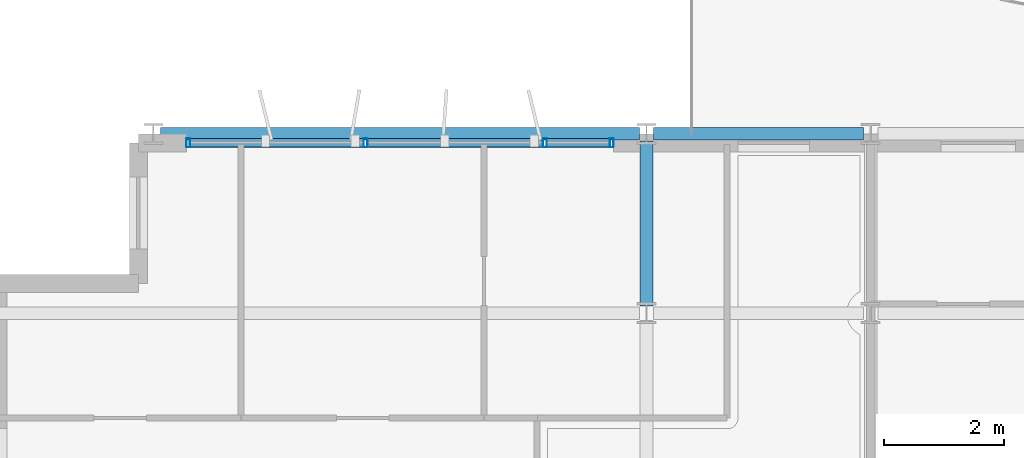
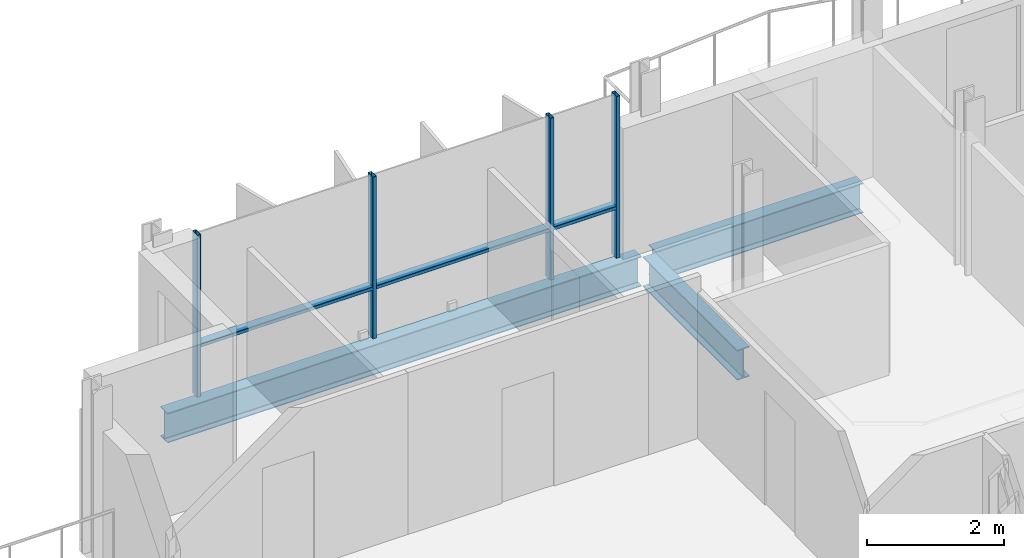
# One storey, part 2 of 13: 7 members, 3 beams, 1 element without a shape of its own.
"""IFC4 building model written with IfcOpenShell, lengths in metres."""

from ifc_helpers import new_model, si_unit, direction, frame, origin, origin_2d, place, context, subcontext, project, spatial, hollow_rectangle, i_section, extrude, material, layer, layer_set, material_profile, profile_set, type_object, element, aggregate, save


model = new_model("IFC4")

# Units and contexts
model_context = context("Model", 3, precision=1e-05, world=origin(), true_north=direction((0.0, 1.0)))
body_context = subcontext(model_context, "Body", "Model", "MODEL_VIEW")
ifc_project = project(units=[si_unit("LENGTHUNIT", "METRE"), si_unit("AREAUNIT", "SQUARE_METRE"), si_unit("VOLUMEUNIT", "CUBIC_METRE"), si_unit("PLANEANGLEUNIT", "RADIAN"), si_unit("MASSUNIT", "GRAM", prefix="KILO")], contexts=[model_context])

# Site, building, storey
site_placement = place(None, origin())
site = spatial("IfcSite", under=ifc_project, at=site_placement, CompositionType="ELEMENT")
building_placement = place(site_placement, origin())
building = spatial("IfcBuilding", under=site, at=building_placement, Name="Brevholm Reach", CompositionType="ELEMENT")
storey_placement = place(building_placement, frame((0.0, 0.0, 224.199951171875)))
storey = spatial("IfcBuildingStorey", under=building, at=storey_placement, Name="L68", CompositionType="ELEMENT", Elevation=224.199951171875)

# Beams
ifc_material_1 = material(Name="Structural Steel S355J2", Category="steel")
ifc_material_profile_1 = material_profile(ifc_material_1, i_section(OverallWidth=0.209228515625, OverallDepth=0.533203125, WebThickness=0.010009765625, FlangeThickness=0.015625, FilletRadius=0.0126953125, at=origin_2d()), Name="UKB 533x210x92")
ifc_profile_set_1 = profile_set([ifc_material_profile_1], Name="Structural Steel S355J2")
beam_type_1 = type_object("IfcBeamType", Name="BM-SP533", PredefinedType="SPANDREL", material=ifc_profile_set_1)
beam_1_placement = place(storey_placement, frame((30.1201171875, 26.5, -0.4765625), z_axis=(1.0, 0.0, 0.0), x_axis=(0.0, 1.0, 0.0)))
element("IfcBeam", 1, at=beam_1_placement, inside=storey, type_object=beam_type_1, Name="L68 SP-02 Framing Beam", PredefinedType="SPANDREL", context=body_context, shape_type="SweptSolid", body=[
    extrude(i_section(OverallWidth=0.209228515625, OverallDepth=0.533203125, WebThickness=0.010009765625, FlangeThickness=0.015625, FilletRadius=0.0126953125, at=origin_2d()), origin(), (0.0, 0.0, 1.0), 8.009765625),
])
beam_2_placement = place(storey_placement, frame((38.3701171875, 26.5, -0.4765625), z_axis=(1.0, 0.0, 0.0), x_axis=(0.0, 1.0, 0.0)))
element("IfcBeam", 2, at=beam_2_placement, inside=storey, type_object=beam_type_1, Name="L68 SP-02 Framing Beam", PredefinedType="SPANDREL", context=body_context, shape_type="SweptSolid", body=[
    extrude(i_section(OverallWidth=0.209228515625, OverallDepth=0.533203125, WebThickness=0.010009765625, FlangeThickness=0.015625, FilletRadius=0.0126953125, at=origin_2d()), origin(), (0.0, 0.0, 1.0), 3.509765625),
])
ifc_material_2 = material(Name="Structural Steel S355J2", Category="steel")
ifc_material_profile_2 = material_profile(ifc_material_2, i_section(OverallWidth=0.210693359375, OverallDepth=0.53955078125, WebThickness=0.01171875, FlangeThickness=0.018798828125, FilletRadius=0.0126953125, at=origin_2d()), Name="UKB 533x210x109")
ifc_profile_set_2 = profile_set([ifc_material_profile_2], Name="Structural Steel S355J2")
beam_type_2 = type_object("IfcBeamType", Name="BM-SP539", PredefinedType="SPANDREL", material=ifc_profile_set_2)
beam_3_placement = place(storey_placement, frame((38.25, 23.6201171875, -0.479736328125), z_axis=(0.0, 1.0, 0.0), x_axis=(-1.0, 0.0, 0.0)))
element("IfcBeam", 3, at=beam_3_placement, inside=storey, type_object=beam_type_2, Name="L68 SP-01B Framing Beam", PredefinedType="SPANDREL", context=body_context, shape_type="SweptSolid", body=[
    extrude(i_section(OverallWidth=0.210693359375, OverallDepth=0.53955078125, WebThickness=0.01171875, FlangeThickness=0.018798828125, FilletRadius=0.0126953125, at=origin_2d()), origin(), (0.0, 0.0, 1.0), 2.759765625),
])

# Curtain wall, members
ifc_material_3 = material(Name="Dark Anodised Aluminium 6063-T6 and Solar-Control Glass", Category="aluminium")
ifc_layer = layer(ifc_material_3, 0.14990234375)
ifc_layer_set = layer_set([ifc_layer], Name="Dark Anodised Aluminium 6063-T6 and Solar-Control Glass")
curtain_wall_type = type_object("IfcCurtainWallType", Name="CW-01", PredefinedType="NOTDEFINED", material=ifc_layer_set)
curtain_wall_placement = place(storey_placement, origin())
curtain_wall = element("IfcCurtainWall", 4, at=curtain_wall_placement, inside=storey, type_object=curtain_wall_type, Name="L68 Curtain Wall CW-01", PredefinedType="NOTDEFINED")
ifc_material_4 = material(Name="Dark Anodised Aluminium 6063-T6", Category="aluminium")
ifc_material_profile_3 = material_profile(ifc_material_4, hollow_rectangle(XDim=0.06494140625, YDim=0.14990234375, WallThickness=0.0048828125, InnerFilletRadius=0.0048828125, OuterFilletRadius=0.010009765625, at=origin_2d()), Name="RHS 150x65x5")
ifc_profile_set_3 = profile_set([ifc_material_profile_3], Name="Dark Anodised Aluminium 6063-T6")
member_type_1 = type_object("IfcMemberType", Name="CWM-150", PredefinedType="MULLION", material=ifc_profile_set_3)
member_1_placement = place(storey_placement, frame((30.58251953125, 26.35009765625, 0.0), z_axis=(0.0, 0.0, 1.0), x_axis=(1.0, 0.0, 0.0)))
member_1 = element("IfcMember", 5, at=member_1_placement, type_object=member_type_1, Name="CM-150 Mullion 1", PredefinedType="MULLION", context=body_context, shape_type="SweptSolid", body=[
    extrude(hollow_rectangle(XDim=0.06494140625, YDim=0.14990234375, WallThickness=0.0048828125, InnerFilletRadius=0.0048828125, OuterFilletRadius=0.010009765625, at=origin_2d()), origin(), (0.0, 0.0, 1.0), 2.89013671875),
])
member_2_placement = place(storey_placement, frame((33.550048828125, 26.35009765625, 0.0), z_axis=(0.0, 0.0, 1.0), x_axis=(1.0, 0.0, 0.0)))
member_2 = element("IfcMember", 6, at=member_2_placement, type_object=member_type_1, Name="CM-150 Mullion 2", PredefinedType="MULLION", context=body_context, shape_type="SweptSolid", body=[
    extrude(hollow_rectangle(XDim=0.06494140625, YDim=0.14990234375, WallThickness=0.0048828125, InnerFilletRadius=0.0048828125, OuterFilletRadius=0.010009765625, at=origin_2d()), origin(), (0.0, 0.0, 1.0), 2.89013671875),
])
member_3_placement = place(storey_placement, frame((36.550048828125, 26.35009765625, 0.0), z_axis=(0.0, 0.0, 1.0), x_axis=(1.0, 0.0, 0.0)))
member_3 = element("IfcMember", 7, at=member_3_placement, type_object=member_type_1, Name="CM-150 Mullion 3", PredefinedType="MULLION", context=body_context, shape_type="SweptSolid", body=[
    extrude(hollow_rectangle(XDim=0.06494140625, YDim=0.14990234375, WallThickness=0.0048828125, InnerFilletRadius=0.0048828125, OuterFilletRadius=0.010009765625, at=origin_2d()), origin(), (0.0, 0.0, 1.0), 2.89013671875),
])
member_4_placement = place(storey_placement, frame((37.66748046875, 26.35009765625, 0.0), z_axis=(0.0, 0.0, 1.0), x_axis=(1.0, 0.0, 0.0)))
member_4 = element("IfcMember", 8, at=member_4_placement, type_object=member_type_1, Name="CM-150 Mullion 4", PredefinedType="MULLION", context=body_context, shape_type="SweptSolid", body=[
    extrude(hollow_rectangle(XDim=0.06494140625, YDim=0.14990234375, WallThickness=0.0048828125, InnerFilletRadius=0.0048828125, OuterFilletRadius=0.010009765625, at=origin_2d()), origin(), (0.0, 0.0, 1.0), 2.89013671875),
])
ifc_material_5 = material(Name="Dark Anodised Aluminium 6063-T6", Category="aluminium")
ifc_material_profile_4 = material_profile(ifc_material_5, hollow_rectangle(XDim=0.06494140625, YDim=0.14990234375, WallThickness=0.0048828125, InnerFilletRadius=0.0048828125, OuterFilletRadius=0.010009765625, at=origin_2d()), Name="RHS 150x65x5")
ifc_profile_set_4 = profile_set([ifc_material_profile_4], Name="Dark Anodised Aluminium 6063-T6")
member_type_2 = type_object("IfcMemberType", Name="CWT-150", PredefinedType="NOTDEFINED", material=ifc_profile_set_4)
member_5_placement = place(storey_placement, frame((30.614990234375, 26.35009765625, 0.900146484375), z_axis=(1.0, 0.0, 0.0), x_axis=(0.0, 0.0, 1.0)))
member_5 = element("IfcMember", 9, at=member_5_placement, type_object=member_type_2, Name="CT-150 Transom 1.1", ObjectType="TRANSOM", PredefinedType="USERDEFINED", context=body_context, shape_type="SweptSolid", body=[
    extrude(hollow_rectangle(XDim=0.06494140625, YDim=0.14990234375, WallThickness=0.0048828125, InnerFilletRadius=0.0048828125, OuterFilletRadius=0.010009765625, at=origin_2d()), origin(), (0.0, 0.0, 1.0), 2.902587890625),
])
member_6_placement = place(storey_placement, frame((33.58251953125, 26.35009765625, 0.900146484375), z_axis=(1.0, 0.0, 0.0), x_axis=(0.0, 0.0, 1.0)))
member_6 = element("IfcMember", 10, at=member_6_placement, type_object=member_type_2, Name="CT-150 Transom 2.1", ObjectType="TRANSOM", PredefinedType="USERDEFINED", context=body_context, shape_type="SweptSolid", body=[
    extrude(hollow_rectangle(XDim=0.06494140625, YDim=0.14990234375, WallThickness=0.0048828125, InnerFilletRadius=0.0048828125, OuterFilletRadius=0.010009765625, at=origin_2d()), origin(), (0.0, 0.0, 1.0), 2.93505859375),
])
member_7_placement = place(storey_placement, frame((36.58251953125, 26.35009765625, 0.900146484375), z_axis=(1.0, 0.0, 0.0), x_axis=(0.0, 0.0, 1.0)))
member_7 = element("IfcMember", 11, at=member_7_placement, type_object=member_type_2, Name="CT-150 Transom 3.1", ObjectType="TRANSOM", PredefinedType="USERDEFINED", context=body_context, shape_type="SweptSolid", body=[
    extrude(hollow_rectangle(XDim=0.06494140625, YDim=0.14990234375, WallThickness=0.0048828125, InnerFilletRadius=0.0048828125, OuterFilletRadius=0.010009765625, at=origin_2d()), origin(), (0.0, 0.0, 1.0), 1.052490234375),
])
aggregate(curtain_wall, [member_1, member_2, member_3, member_4, member_5, member_6, member_7])

save(model, "model.ifc")
